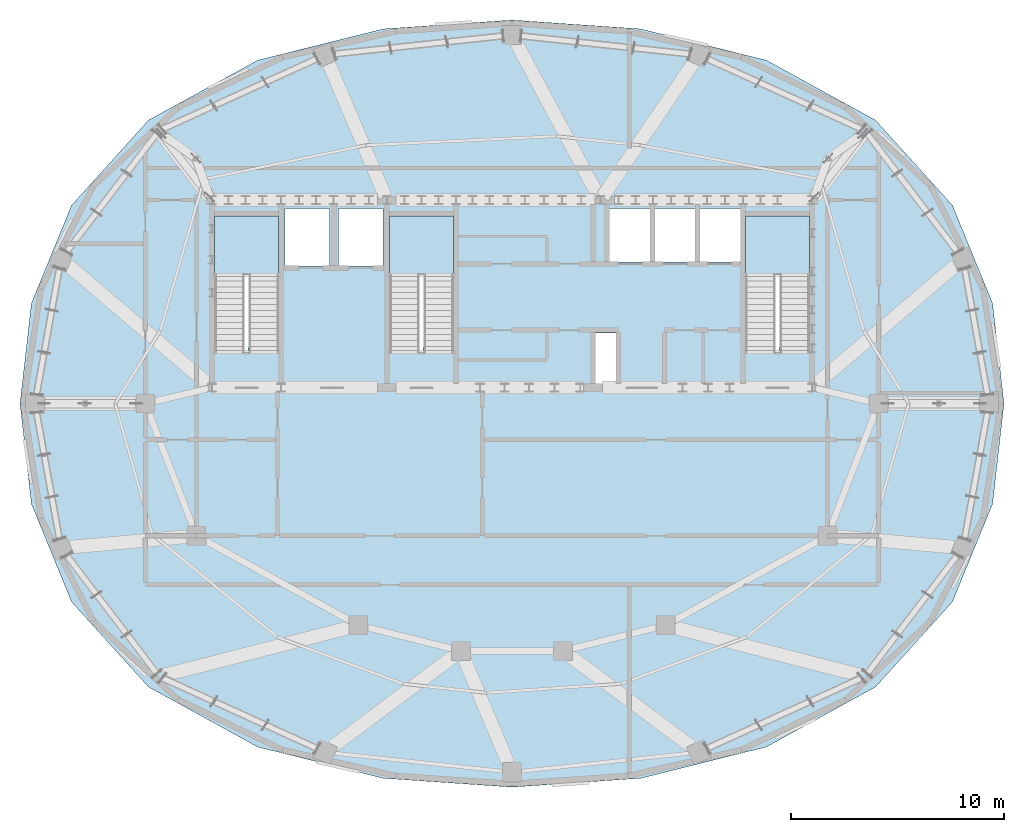
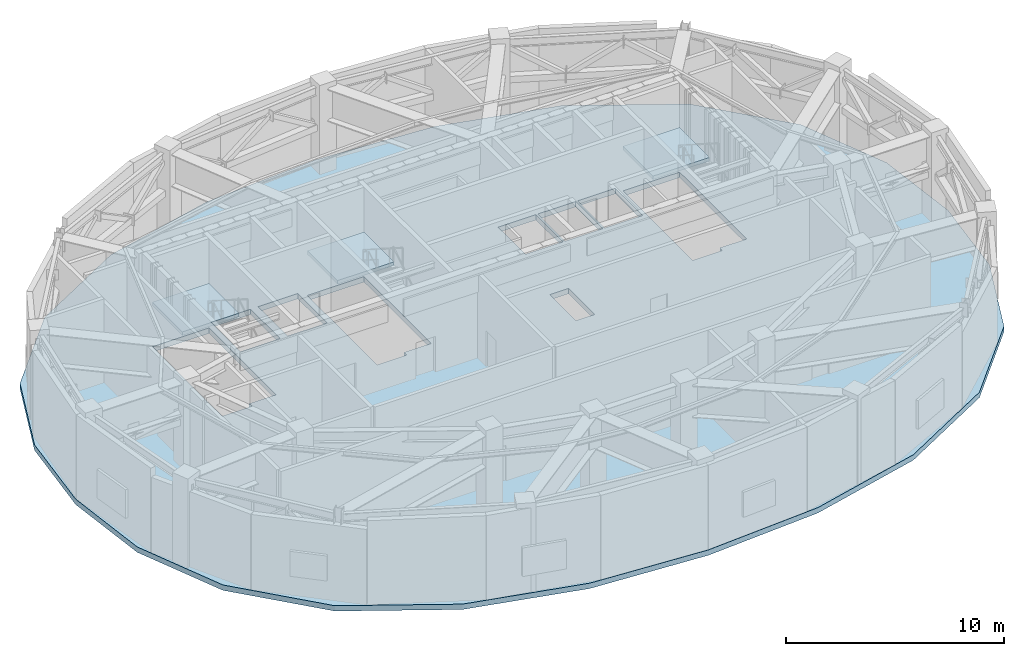
# One storey, part 6 of 15: 4 slabs, 3 elements without a shape of their own.
"""IFC4 building model written with IfcOpenShell, lengths in metres."""

from ifc_helpers import new_model, si_unit, direction, frame, origin, place, context, subcontext, project, spatial, polyline, outline, extrude, material, layer, layer_set, type_object, element, aggregate, save


model = new_model("IFC4")

# Units and contexts
model_context = context("Model", 3, precision=1e-05, world=origin(), true_north=direction((0.0, 1.0)))
body_context = subcontext(model_context, "Body", "Model", "MODEL_VIEW")
ifc_project = project(units=[si_unit("LENGTHUNIT", "METRE"), si_unit("AREAUNIT", "SQUARE_METRE"), si_unit("VOLUMEUNIT", "CUBIC_METRE"), si_unit("PLANEANGLEUNIT", "RADIAN"), si_unit("MASSUNIT", "GRAM", prefix="KILO")], contexts=[model_context])

# Site, building, storey
site_placement = place(None, origin())
site = spatial("IfcSite", under=ifc_project, at=site_placement, CompositionType="ELEMENT")
building_placement = place(site_placement, origin())
building = spatial("IfcBuilding", under=site, at=building_placement, Name="Haldorwick Loom Tower", CompositionType="ELEMENT")
storey_placement = place(building_placement, frame((0.0, 0.0, 286.5)))
storey = spatial("IfcBuildingStorey", under=building, at=storey_placement, Name="L77", CompositionType="ELEMENT", Elevation=286.5)

# Slab
ifc_material = material(Name="Concrete C40 (40 MPa)", Category="concrete")
ifc_layer_1 = layer(ifc_material, 0.300048828125, Name="Concrete C40 (40 MPa)", Category="concrete")
ifc_layer_set_1 = layer_set([ifc_layer_1], Name="Concrete C40 (40 MPa)")
slab_type_1 = type_object("IfcSlabType", Name="STR-SLB-CONC300", PredefinedType="FLOOR", material=ifc_layer_set_1)
slab_1_placement = place(storey_placement, frame((0.0, 0.0, -0.300048828125)))
element("IfcSlab", 1, at=slab_1_placement, inside=storey, type_object=slab_type_1, Name="L77 Structural Floor Slab", PredefinedType="FLOOR", context=body_context, shape_type="SweptSolid", body=[
    extrude(outline(polyline([(53.0546875, 12.702880859375), (56.6630859375, 16.69873046875), (58.545166015625, 21.2900390625), (59.080810546875, 26.0), (58.545166015625, 30.7099609375), (56.6630859375, 35.30126953125), (53.0546875, 39.297119140625), (47.9296875, 42.110107421875), (42.041015625, 43.577392578125), (36.0, 43.9951171875), (29.958984375, 43.577392578125), (24.0703125, 42.110107421875), (18.9453125, 39.297119140625), (15.3369140625, 35.30126953125), (13.454833984375, 30.7099609375), (12.919189453125, 26.0), (13.454833984375, 21.2900390625), (15.3369140625, 16.69873046875), (18.9453125, 12.702880859375), (24.0703125, 9.889892578125), (29.958984375, 8.422607421875), (36.0, 8.0048828125), (42.041015625, 8.422607421875), (47.9296875, 9.889892578125), (53.0546875, 12.702880859375)]), holes=[polyline([(40.89990234375, 26.89990234375), (39.89990234375, 26.89990234375), (39.89990234375, 29.300048828125), (40.89990234375, 29.300048828125), (40.89990234375, 26.89990234375)]), polyline([(23.6201171875, 28.39990234375), (22.050048828125, 28.39990234375), (22.050048828125, 34.800048828125), (25.050048828125, 34.800048828125), (25.050048828125, 28.639892578125), (23.6201171875, 28.639892578125), (23.6201171875, 28.39990234375)]), polyline([(31.820068359375, 28.39990234375), (30.25, 28.39990234375), (30.25, 34.800048828125), (33.25, 34.800048828125), (33.25, 28.639892578125), (31.820068359375, 28.639892578125), (31.820068359375, 28.39990234375)]), polyline([(48.52001953125, 28.39990234375), (46.949951171875, 28.39990234375), (46.949951171875, 34.800048828125), (49.949951171875, 34.800048828125), (49.949951171875, 28.639892578125), (48.52001953125, 28.639892578125), (48.52001953125, 28.39990234375)]), polyline([(27.449951171875, 32.449951171875), (25.35009765625, 32.449951171875), (25.35009765625, 35.14990234375), (27.449951171875, 35.14990234375), (27.449951171875, 32.449951171875)]), polyline([(29.949951171875, 32.449951171875), (27.85009765625, 32.449951171875), (27.85009765625, 35.14990234375), (29.949951171875, 35.14990234375), (29.949951171875, 32.449951171875)]), polyline([(42.550048828125, 32.64990234375), (40.550048828125, 32.64990234375), (40.550048828125, 35.14990234375), (42.550048828125, 35.14990234375), (42.550048828125, 32.64990234375)]), polyline([(42.64990234375, 32.64990234375), (42.64990234375, 35.14990234375), (44.64990234375, 35.14990234375), (44.64990234375, 32.64990234375), (42.64990234375, 32.64990234375)]), polyline([(44.75, 32.64990234375), (44.75, 35.14990234375), (46.75, 35.14990234375), (46.75, 32.64990234375), (44.75, 32.64990234375)])]), origin(), (0.0, 0.0, 1.0), 0.300048828125),
])

# Stair, slab
stair_type = type_object("IfcStairType", Name="STR-STR-CORE", PredefinedType="HALF_TURN_STAIR", material=ifc_material)
stair_1_placement = place(storey_placement, origin())
stair_1 = element("IfcStair", 2, at=stair_1_placement, inside=storey, type_object=stair_type, Name="L77 Exit Stair ST-01", PredefinedType="HALF_TURN_STAIR")
ifc_layer_2 = layer(ifc_material, 0.199951171875, Name="Concrete C40 (40 MPa)", Category="concrete")
ifc_layer_set_2 = layer_set([ifc_layer_2], Name="Concrete C40 (40 MPa)")
slab_type_2 = type_object("IfcSlabType", Name="STR-SLB-LAND200", PredefinedType="LANDING", material=ifc_layer_set_2)
slab_2_placement = place(storey_placement, frame((0.0, 0.0, 2.300048828125)))
slab_2 = element("IfcSlab", 3, at=slab_2_placement, type_object=slab_type_2, Name="ST-01 landing 1", PredefinedType="LANDING", context=body_context, shape_type="SweptSolid", body=[
    extrude(outline(polyline([(25.050048828125, 32.0400390625), (25.050048828125, 34.800048828125), (22.050048828125, 34.800048828125), (22.050048828125, 32.0400390625), (25.050048828125, 32.0400390625)])), origin(), (0.0, 0.0, 1.0), 0.199951171875),
])
aggregate(stair_1, [slab_2])

stair_2_placement = place(storey_placement, origin())
stair_2 = element("IfcStair", 4, at=stair_2_placement, inside=storey, type_object=stair_type, Name="L77 Exit Stair ST-02", PredefinedType="HALF_TURN_STAIR")
slab_3_placement = place(storey_placement, frame((0.0, 0.0, 2.300048828125)))
slab_3 = element("IfcSlab", 5, at=slab_3_placement, type_object=slab_type_2, Name="ST-02 landing 1", PredefinedType="LANDING", context=body_context, shape_type="SweptSolid", body=[
    extrude(outline(polyline([(49.949951171875, 32.0400390625), (49.949951171875, 34.800048828125), (46.949951171875, 34.800048828125), (46.949951171875, 32.0400390625), (49.949951171875, 32.0400390625)])), origin(), (0.0, 0.0, 1.0), 0.199951171875),
])
aggregate(stair_2, [slab_3])

stair_3_placement = place(storey_placement, origin())
stair_3 = element("IfcStair", 6, at=stair_3_placement, inside=storey, type_object=stair_type, Name="L77 Exit Stair ST-03", PredefinedType="HALF_TURN_STAIR")
slab_4_placement = place(storey_placement, frame((0.0, 0.0, 2.300048828125)))
slab_4 = element("IfcSlab", 7, at=slab_4_placement, type_object=slab_type_2, Name="ST-03 landing 1", PredefinedType="LANDING", context=body_context, shape_type="SweptSolid", body=[
    extrude(outline(polyline([(33.25, 32.0400390625), (33.25, 34.800048828125), (30.25, 34.800048828125), (30.25, 32.0400390625), (33.25, 32.0400390625)])), origin(), (0.0, 0.0, 1.0), 0.199951171875),
])
aggregate(stair_3, [slab_4])

save(model, "model.ifc")
